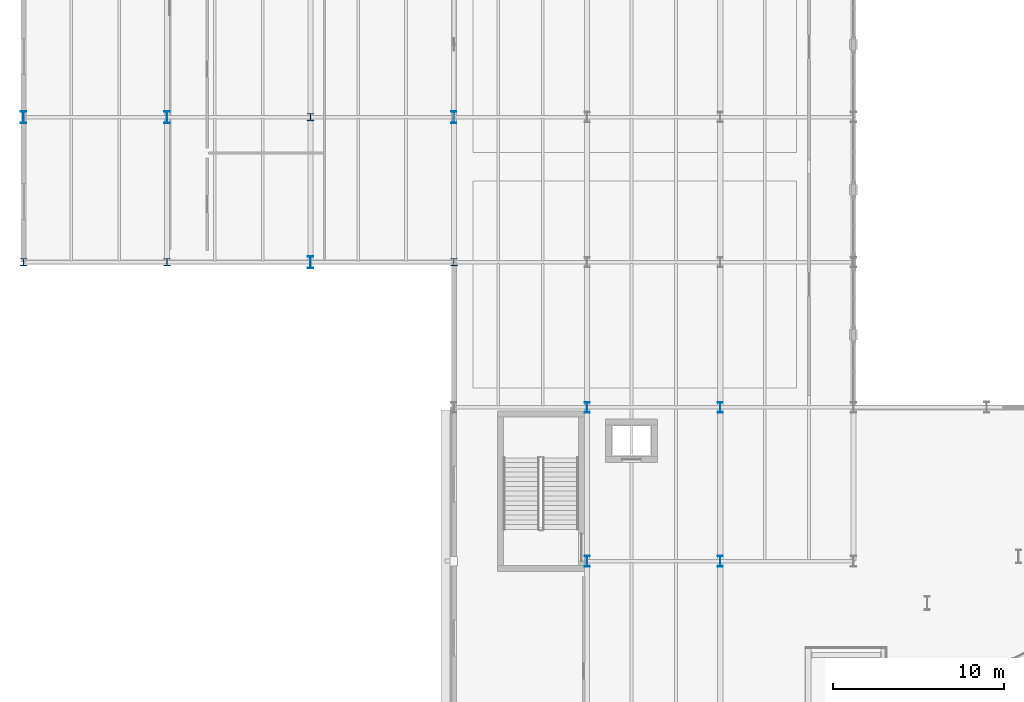
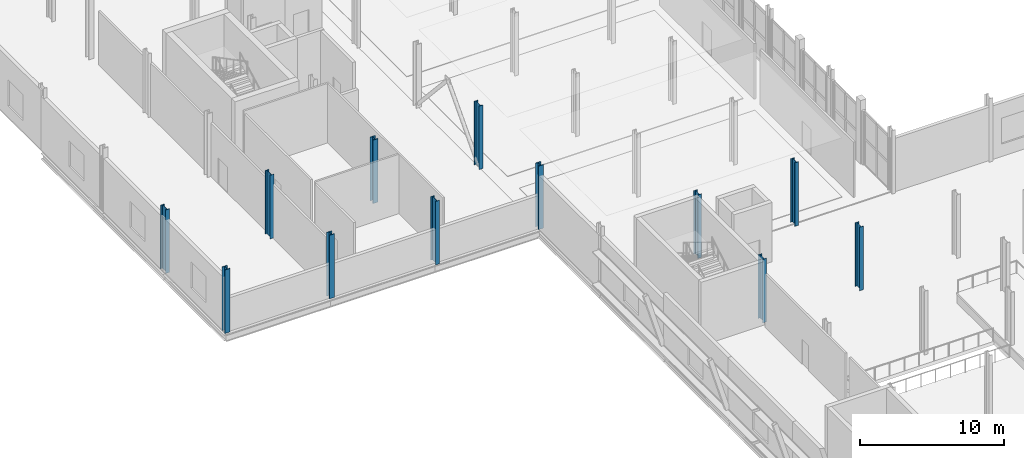
# One storey, part 2 of 78: 12 columns.
"""IFC4 building model written with IfcOpenShell, lengths in metres."""

from ifc_helpers import new_model, si_unit, direction, frame, origin, origin_2d, place, context, subcontext, project, spatial, i_section, extrude, material, material_profile, profile_set, type_object, element, save


model = new_model("IFC4")

# Units and contexts
model_context = context("Model", 3, precision=1e-05, world=origin(), true_north=direction((0.0, 1.0)))
body_context = subcontext(model_context, "Body", "Model", "MODEL_VIEW")
ifc_project = project(units=[si_unit("LENGTHUNIT", "METRE"), si_unit("AREAUNIT", "SQUARE_METRE"), si_unit("VOLUMEUNIT", "CUBIC_METRE"), si_unit("PLANEANGLEUNIT", "RADIAN"), si_unit("MASSUNIT", "GRAM", prefix="KILO")], contexts=[model_context])

# Site, building, storey
site_placement = place(None, origin())
site = spatial("IfcSite", under=ifc_project, at=site_placement, CompositionType="ELEMENT")
building_placement = place(site_placement, origin())
building = spatial("IfcBuilding", under=site, at=building_placement, Name="Sefraquen Railside Congress Hotel", CompositionType="ELEMENT")
storey_placement = place(building_placement, frame((0.0, 0.0, 6.0)))
storey = spatial("IfcBuildingStorey", under=building, at=storey_placement, Name="L01", CompositionType="ELEMENT", Elevation=6.0)

# Columns
ifc_material_1 = material(Name="Steel S355J2", Category="steel")
ifc_material_profile_1 = material_profile(ifc_material_1, i_section(OverallWidth=0.416015625, OverallDepth=0.446044921875, WebThickness=0.035888671875, FlangeThickness=0.048095703125, FilletRadius=0.014892578125, at=origin_2d()), Name="HD 400x509")
ifc_profile_set_1 = profile_set([ifc_material_profile_1], Name="Steel S355J2")
column_type_1 = type_object("IfcColumnType", Name="TC-HD-509", PredefinedType="COLUMN", material=ifc_profile_set_1)
for number, where, z_axis, x_axis, name in (
    (1, (0.0, 62.5, 0.0), (0.0, 0.0, 1.0), (1.0, 0.0, 0.0), "Structural column 1-H L01"),
    (2, (8.39990234375, 62.5, 0.0), (0.0, 0.0, 1.0), (1.0, 0.0, 0.0), "Structural column 2-H L01"),
    (3, (16.800048828125, 71.0, 0.0), (0.0, 0.0, 1.0), (1.0, 0.0, 0.0), "Structural column 3-J L01"),
    (4, (25.199951171875, 62.5, 0.0), (0.0, 0.0, 1.0), (1.0, 0.0, 0.0), "Structural column 4-H L01"),
):
    element("IfcColumn", number, at=place(storey_placement, frame(where, z_axis=z_axis, x_axis=x_axis)), inside=storey, type_object=column_type_1, Name=name, PredefinedType="COLUMN", context=body_context, shape_type="SweptSolid", body=[
        extrude(i_section(OverallWidth=0.416015625, OverallDepth=0.446044921875, WebThickness=0.035888671875, FlangeThickness=0.048095703125, FilletRadius=0.014892578125, at=origin_2d()), origin(), (0.0, 0.0, 1.0), 5.39990234375),
    ])
ifc_material_2 = material(Name="Steel S355JR", Category="steel")
ifc_material_profile_2 = material_profile(ifc_material_2, i_section(OverallWidth=0.300048828125, OverallDepth=0.60009765625, WebThickness=0.015380859375, FlangeThickness=0.030029296875, FilletRadius=0.027099609375, at=origin_2d()), Name="HEB 600")
ifc_profile_set_2 = profile_set([ifc_material_profile_2], Name="Steel S355JR")
column_type_2 = type_object("IfcColumnType", Name="TC-HEB-600", PredefinedType="COLUMN", material=ifc_profile_set_2)
for number, where, z_axis, x_axis, name in (
    (5, (33.0, 54.0, 0.0), (0.0, 0.0, 1.0), (1.0, 0.0, 0.0), "Structural column 5-G L01"),
    (6, (40.800048828125, 54.0, 0.0), (0.0, 0.0, 1.0), (1.0, 0.0, 0.0), "Structural column 6-G L01"),
):
    element("IfcColumn", number, at=place(storey_placement, frame(where, z_axis=z_axis, x_axis=x_axis)), inside=storey, type_object=column_type_2, Name=name, PredefinedType="COLUMN", context=body_context, shape_type="SweptSolid", body=[
        extrude(i_section(OverallWidth=0.300048828125, OverallDepth=0.60009765625, WebThickness=0.015380859375, FlangeThickness=0.030029296875, FilletRadius=0.027099609375, at=origin_2d()), origin(), (0.0, 0.0, 1.0), 5.39990234375),
    ])
ifc_material_profile_3 = material_profile(ifc_material_2, i_section(OverallWidth=0.300048828125, OverallDepth=0.64990234375, WebThickness=0.01611328125, FlangeThickness=0.031005859375, FilletRadius=0.027099609375, at=origin_2d()), Name="HEB 650")
ifc_profile_set_3 = profile_set([ifc_material_profile_3], Name="Steel S355JR")
column_type_3 = type_object("IfcColumnType", Name="TC-HEB-650", PredefinedType="COLUMN", material=ifc_profile_set_3)
for number, where, z_axis, x_axis, name in (
    (7, (33.0, 45.0, 0.0), (0.0, 0.0, 1.0), (1.0, 0.0, 0.0), "Structural column 5-F L01"),
    (8, (40.800048828125, 45.0, 0.0), (0.0, 0.0, 1.0), (1.0, 0.0, 0.0), "Structural column 6-F L01"),
):
    element("IfcColumn", number, at=place(storey_placement, frame(where, z_axis=z_axis, x_axis=x_axis)), inside=storey, type_object=column_type_3, Name=name, PredefinedType="COLUMN", context=body_context, shape_type="SweptSolid", body=[
        extrude(i_section(OverallWidth=0.300048828125, OverallDepth=0.64990234375, WebThickness=0.01611328125, FlangeThickness=0.031005859375, FilletRadius=0.027099609375, at=origin_2d()), origin(), (0.0, 0.0, 1.0), 5.39990234375),
    ])
ifc_material_profile_4 = material_profile(ifc_material_2, i_section(OverallWidth=0.300048828125, OverallDepth=0.699951171875, WebThickness=0.01708984375, FlangeThickness=0.031982421875, FilletRadius=0.027099609375, at=origin_2d()), Name="HEB 700")
ifc_profile_set_4 = profile_set([ifc_material_profile_4], Name="Steel S355JR")
column_type_4 = type_object("IfcColumnType", Name="TC-HEB-700", PredefinedType="COLUMN", material=ifc_profile_set_4)
for number, where, z_axis, x_axis, name in (
    (9, (0.0, 71.0, 0.0), (0.0, 0.0, 1.0), (1.0, 0.0, 0.0), "Structural column 1-J L01"),
    (10, (8.39990234375, 71.0, 0.0), (0.0, 0.0, 1.0), (1.0, 0.0, 0.0), "Structural column 2-J L01"),
    (11, (16.800048828125, 62.5, 0.0), (0.0, 0.0, 1.0), (1.0, 0.0, 0.0), "Structural column 3-H L01"),
    (12, (25.199951171875, 71.0, 0.0), (0.0, 0.0, 1.0), (1.0, 0.0, 0.0), "Structural column 4-J L01"),
):
    element("IfcColumn", number, at=place(storey_placement, frame(where, z_axis=z_axis, x_axis=x_axis)), inside=storey, type_object=column_type_4, Name=name, PredefinedType="COLUMN", context=body_context, shape_type="SweptSolid", body=[
        extrude(i_section(OverallWidth=0.300048828125, OverallDepth=0.699951171875, WebThickness=0.01708984375, FlangeThickness=0.031982421875, FilletRadius=0.027099609375, at=origin_2d()), origin(), (0.0, 0.0, 1.0), 5.39990234375),
    ])

save(model, "model.ifc")
